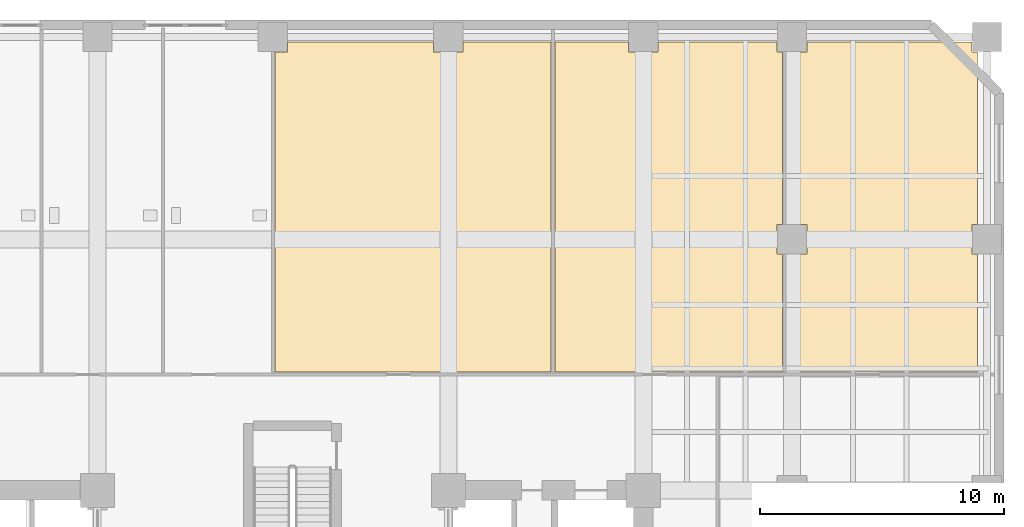
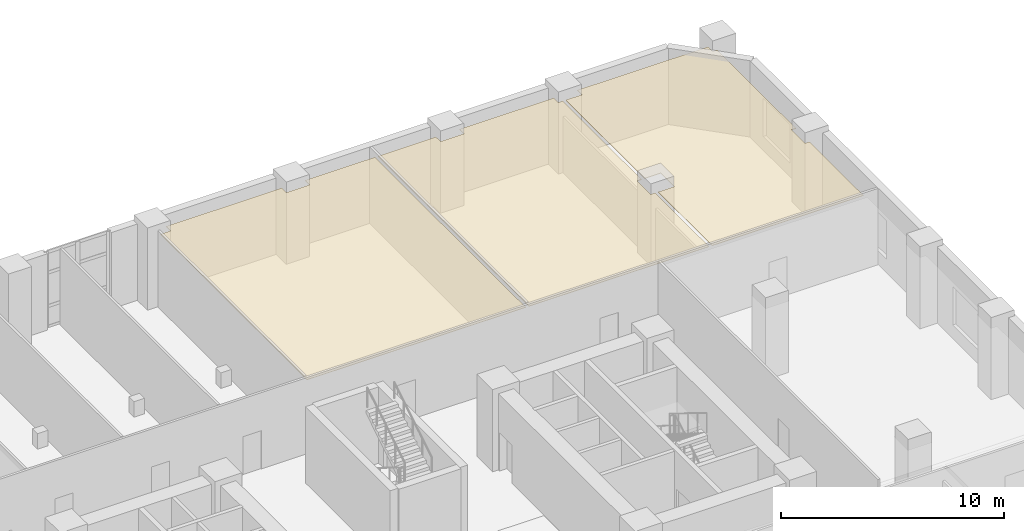
# One storey, part 14 of 15: 3 coverings.
"""IFC4 building model written with IfcOpenShell, lengths in metres."""

import ifcopenshell
import ifcopenshell.guid

model = None  # the IFC model being written
_history = None  # IfcOwnerHistory: only IFC2X3 demands one
_inside = {}  # id of a spatial element -> (the spatial element, [elements in it])
_under = {}  # id of a project, library or spatial element -> (it, [spatial elements below it])
_declared = {}  # id of a project -> (the project, [libraries it declares])
_typed = {}  # id of a type object -> (the type object, [elements of that type])
_made_of = {}  # id of a material, layer set ... -> (it, [elements and type objects made of it])


def new_model(schema):
    """Start an empty IFC model of exactly this schema.

    Asked for "IFC4X3", IfcOpenShell would pick the latest addendum, in which some entities
    have other attributes; the version numbers below select the first issue.
    IFC2X3 requires an IfcOwnerHistory on every rooted entity: one is made here for all.
    """
    global model, _history
    if schema == "IFC4X3":
        model = ifcopenshell.file(schema_version=(4, 3, 0, 0))
    else:
        model = ifcopenshell.file(schema=schema)
    _inside.clear()
    _under.clear()
    _declared.clear()
    _typed.clear()
    _made_of.clear()
    _history = None
    if model.schema == "IFC2X3":
        org = make("IfcOrganization", Name="unknown")
        user = make(
            "IfcPersonAndOrganization",
            ThePerson=make("IfcPerson", FamilyName="unknown"),
            TheOrganization=org,
        )
        app = make(
            "IfcApplication",
            ApplicationDeveloper=org,
            Version="unknown",
            ApplicationFullName="unknown",
            ApplicationIdentifier="unknown",
        )
        _history = make(
            "IfcOwnerHistory",
            OwningUser=user,
            OwningApplication=app,
            ChangeAction="ADDED",
            CreationDate=0,
        )
    return model


def make(cls, **values):
    """One entity of the class cls with the attributes given. An attribute that is None is left unset."""
    return model.create_entity(
        cls, **{name: value for name, value in values.items() if value is not None}
    )


def rooted(cls, **values):
    """An entity with a GlobalId (a new one), such as an element, a storey or a relation."""
    return make(cls, GlobalId=ifcopenshell.guid.new(), OwnerHistory=_history, **values)


def si_unit(unit_type, name, prefix=None):
    """IfcSIUnit, for example si_unit("LENGTHUNIT", "METRE", prefix="MILLI")."""
    return make("IfcSIUnit", UnitType=unit_type, Prefix=prefix, Name=name)


def assignment(units):
    """IfcUnitAssignment: the units of a project."""
    return None if units is None else make("IfcUnitAssignment", Units=units)


def point(xyz):
    """IfcCartesianPoint."""
    return None if xyz is None else make("IfcCartesianPoint", Coordinates=xyz)


def direction(xyz):
    """IfcDirection."""
    return None if xyz is None else make("IfcDirection", DirectionRatios=xyz)


def frame(location, z_axis=None, x_axis=None):
    """IfcAxis2Placement3D, a coordinate frame: its origin and axes. An axis left out is left unset."""
    return make(
        "IfcAxis2Placement3D",
        Location=point(location),
        Axis=direction(z_axis),
        RefDirection=direction(x_axis),
    )


def origin():
    """The frame at (0, 0, 0) with its axes left unset."""
    return frame((0.0, 0.0, 0.0))


def place(relative_to, where):
    """IfcLocalPlacement: puts the frame where relative to a parent placement (None: the world)."""
    return make(
        "IfcLocalPlacement", PlacementRelTo=relative_to, RelativePlacement=where
    )


def context(
    kind, dimensions, precision=None, world=None, true_north=None, identifier=None
):
    """IfcGeometricRepresentationContext, for example the 3D "Model" context."""
    return make(
        "IfcGeometricRepresentationContext",
        ContextIdentifier=identifier,
        ContextType=kind,
        CoordinateSpaceDimension=dimensions,
        Precision=precision,
        WorldCoordinateSystem=world,
        TrueNorth=true_north,
    )


def subcontext(parent, identifier, kind, view, scale=None):
    """IfcGeometricRepresentationSubContext, for example "Body" below "Model"."""
    return make(
        "IfcGeometricRepresentationSubContext",
        ContextIdentifier=identifier,
        ContextType=kind,
        ParentContext=parent,
        TargetScale=scale,
        TargetView=view,
    )


def project(units=None, contexts=None):
    """IfcProject with its units and contexts."""
    return rooted(
        "IfcProject",
        Name="project",
        RepresentationContexts=contexts,
        UnitsInContext=assignment(units),
    )


def spatial(cls, under=None, at=None, **own):
    """A site, building, storey or space (cls), placed at a placement, below another one or the project."""
    s = rooted(cls, ObjectPlacement=at, **own)
    if under is not None:
        _under.setdefault(under.id(), (under, []))[1].append(s)
    return s


def polyline(points):
    """IfcPolyline through the points."""
    return make("IfcPolyline", Points=[point(p) for p in points])


def outline(outer, holes=None, kind="AREA"):
    """IfcArbitraryClosedProfileDef: a profile drawn as a closed curve; with holes, ...WithVoids."""
    if holes is None:
        return make("IfcArbitraryClosedProfileDef", ProfileType=kind, OuterCurve=outer)
    return make(
        "IfcArbitraryProfileDefWithVoids",
        ProfileType=kind,
        OuterCurve=outer,
        InnerCurves=holes,
    )


def extrude(swept, where, along, depth):
    """IfcExtrudedAreaSolid: the profile swept, set in the frame where, extruded along a direction by depth."""
    return make(
        "IfcExtrudedAreaSolid",
        SweptArea=swept,
        Position=where,
        ExtrudedDirection=direction(along),
        Depth=depth,
    )


def shape(context_of_items, identifier, shape_type, items):
    """IfcShapeRepresentation: the items that make up one representation, for example the "Body"."""
    return make(
        "IfcShapeRepresentation",
        ContextOfItems=context_of_items,
        RepresentationIdentifier=identifier,
        RepresentationType=shape_type,
        Items=items,
    )


def material(Name=None, Category=None):
    """IfcMaterial."""
    return make("IfcMaterial", Name=Name, Category=Category)


def layer(
    of_material, thickness, ventilated=None, Name=None, Category=None, Priority=None
):
    """IfcMaterialLayer: one layer of a wall or slab, of a material (None: an air gap)."""
    return make(
        "IfcMaterialLayer",
        Material=of_material,
        LayerThickness=thickness,
        IsVentilated=ventilated,
        Name=Name,
        Category=Category,
        Priority=Priority,
    )


def layer_set(layers, Name=None):
    """IfcMaterialLayerSet."""
    return make("IfcMaterialLayerSet", MaterialLayers=layers, LayerSetName=Name)


def made_of(thing, what):
    """Note that an element or type object is made of a material, layer set ...; save() writes the relation."""
    if what is not None:
        _made_of.setdefault(what.id(), (what, []))[1].append(thing)
    return thing


def type_object(cls, material=None, **own):
    """A type object (cls), such as IfcWallType, which elements share."""
    return made_of(rooted(cls, **own), material)


def element(
    cls,
    number,
    at=None,
    inside=None,
    cuts=None,
    type_object=None,
    material=None,
    context=None,
    identifier="Body",
    shape_type=None,
    held_by="IfcProductDefinitionShape",
    body=None,
    shapes=None,
    **own,
):
    """One element of the class cls, such as IfcWall. Its Tag is "e" and its number.

    at: its placement. inside: the storey or other place that contains it. cuts: it is an
    opening in that element (IfcRelVoidsElement). A single representation is given by context,
    identifier, shape_type and body (its items); several are given by shapes. held_by: the class
    of the entity that holds the representations. save() writes the other relations.
    """
    e = rooted(cls, Tag="e%d" % number, ObjectPlacement=at, **own)
    if body is not None:
        shapes = [shape(context, identifier, shape_type, body)]
    if shapes is not None:
        e.Representation = make(held_by, Representations=shapes)
    if inside is not None:
        _inside.setdefault(inside.id(), (inside, []))[1].append(e)
    if cuts is not None:
        rooted(
            "IfcRelVoidsElement", RelatingBuildingElement=cuts, RelatedOpeningElement=e
        )
    if type_object is not None:
        _typed.setdefault(type_object.id(), (type_object, []))[1].append(e)
    return made_of(e, material)


def aggregate(whole, parts):
    """IfcRelAggregates: a whole, such as a stair, and the parts it consists of."""
    return rooted("IfcRelAggregates", RelatingObject=whole, RelatedObjects=parts)


def save(model, path):
    """Write the relations noted so far, then the file.

    IfcRelAggregates (storeys below a building ...), IfcRelContainedInSpatialStructure (elements
    in a storey), IfcRelDefinesByType, IfcRelAssociatesMaterial and IfcRelDeclares: one each for
    every whole, place, type object, material and project.
    """
    for whole, parts in _under.values():
        aggregate(whole, parts)
    for where, things in _inside.values():
        rooted(
            "IfcRelContainedInSpatialStructure",
            RelatedElements=things,
            RelatingStructure=where,
        )
    for kind, things in _typed.values():
        rooted("IfcRelDefinesByType", RelatedObjects=things, RelatingType=kind)
    for what, things in _made_of.values():
        rooted("IfcRelAssociatesMaterial", RelatedObjects=things, RelatingMaterial=what)
    for by, libraries in _declared.values():
        rooted("IfcRelDeclares", RelatingContext=by, RelatedDefinitions=libraries)
    model.write(path)


model = new_model("IFC4")

# Units and contexts
model_context = context("Model", 3, precision=1e-05, world=origin(), true_north=direction((0.0, 1.0)))
body_context = subcontext(model_context, "Body", "Model", "MODEL_VIEW")
ifc_project = project(units=[si_unit("LENGTHUNIT", "METRE"), si_unit("AREAUNIT", "SQUARE_METRE"), si_unit("VOLUMEUNIT", "CUBIC_METRE"), si_unit("PLANEANGLEUNIT", "RADIAN"), si_unit("MASSUNIT", "GRAM", prefix="KILO")], contexts=[model_context])

# Site, building, storey
site_placement = place(None, origin())
site = spatial("IfcSite", under=ifc_project, at=site_placement, CompositionType="ELEMENT")
building_placement = place(site_placement, origin())
building = spatial("IfcBuilding", under=site, at=building_placement, Name="Kranthara Brick Stack", CompositionType="ELEMENT")
storey_placement = place(building_placement, frame((0.0, 0.0, 9.89990234375)))
storey = spatial("IfcBuildingStorey", under=building, at=storey_placement, Name="L02", CompositionType="ELEMENT", Elevation=9.89990234375)

# Coverings
ifc_material = material(Name="Perforated mineral-fibre acoustic ceiling tile", Category="other")
ifc_layer = layer(ifc_material, 0.02490234375)
ifc_layer_set = layer_set([ifc_layer], Name="Perforated mineral-fibre acoustic ceiling tile")
covering_type = type_object("IfcCoveringType", Name="COV-CEIL-ACOUSTIC", PredefinedType="CEILING", material=ifc_layer_set)
covering_1_placement = place(storey_placement, frame((0.0, 0.0, 3.91015625)))
element("IfcCovering", 1, at=covering_1_placement, inside=storey, type_object=covering_type, Name="L02 Staff Tea Pantry Acoustic Ceiling", PredefinedType="CEILING", context=body_context, shape_type="SweptSolid", body=[
    extrude(outline(polyline([(39.419921875, 38.449951171875), (28.080078125, 38.449951171875), (28.080078125, 51.590087890625), (28.610107421875, 51.590087890625), (28.610107421875, 52.0), (34.590087890625, 52.0), (34.590087890625, 51.590087890625), (35.81005859375, 51.590087890625), (35.81005859375, 52.0), (39.419921875, 52.0), (39.419921875, 38.449951171875)])), origin(), (0.0, 0.0, 1.0), 0.02490234375),
])
covering_2_placement = place(storey_placement, frame((0.0, 0.0, 3.91015625)))
element("IfcCovering", 2, at=covering_2_placement, inside=storey, type_object=covering_type, Name="L02 Conference Room North Acoustic Ceiling", PredefinedType="CEILING", context=body_context, shape_type="SweptSolid", body=[
    extrude(outline(polyline([(39.580078125, 38.449951171875), (39.580078125, 52.0), (42.590087890625, 52.0), (42.590087890625, 51.590087890625), (43.81005859375, 51.590087890625), (43.81005859375, 52.0), (48.68994140625, 52.0), (48.68994140625, 51.590087890625), (48.919921875, 51.590087890625), (48.919921875, 44.510009765625), (48.68994140625, 44.510009765625), (48.68994140625, 43.2900390625), (48.919921875, 43.2900390625), (48.919921875, 38.449951171875), (39.580078125, 38.449951171875)])), origin(), (0.0, 0.0, 1.0), 0.02490234375),
])
covering_3_placement = place(storey_placement, frame((0.0, 0.0, 3.91015625)))
element("IfcCovering", 3, at=covering_3_placement, inside=storey, type_object=covering_type, Name="L02 Executive Corner Office Acoustic Ceiling", PredefinedType="CEILING", context=body_context, shape_type="SweptSolid", body=[
    extrude(outline(polyline([(49.080078125, 43.2900390625), (49.909912109375, 43.2900390625), (49.909912109375, 44.510009765625), (49.080078125, 44.510009765625), (49.080078125, 51.590087890625), (49.909912109375, 51.590087890625), (49.909912109375, 52.0), (56.68994140625, 52.0), (56.68994140625, 51.590087890625), (56.919921875, 51.590087890625), (56.919921875, 44.510009765625), (56.68994140625, 44.510009765625), (56.68994140625, 43.2900390625), (56.919921875, 43.2900390625), (56.919921875, 38.449951171875), (49.080078125, 38.449951171875), (49.080078125, 43.2900390625)])), origin(), (0.0, 0.0, 1.0), 0.02490234375),
])

save(model, "model.ifc")
